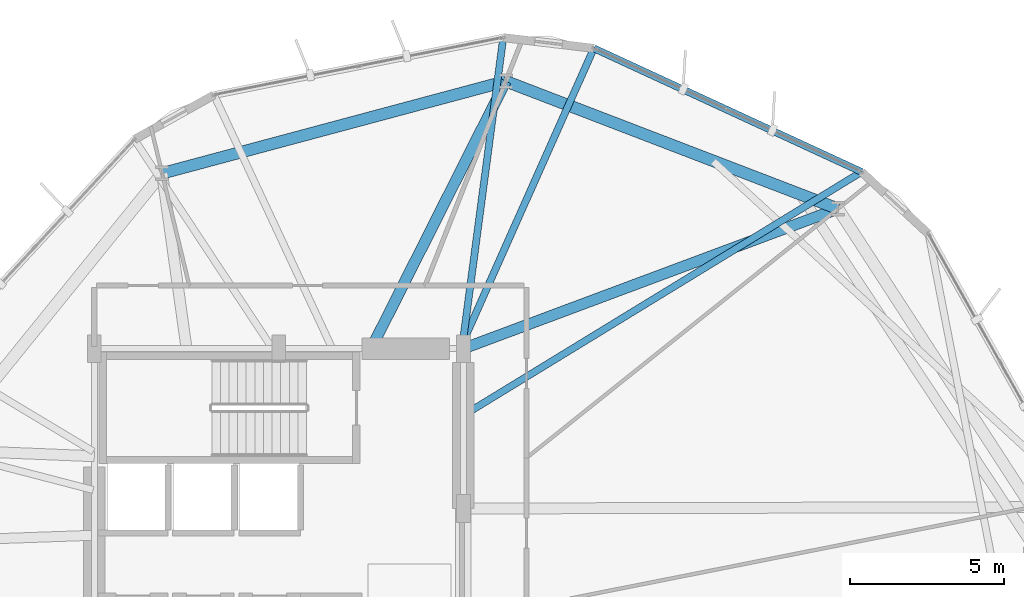
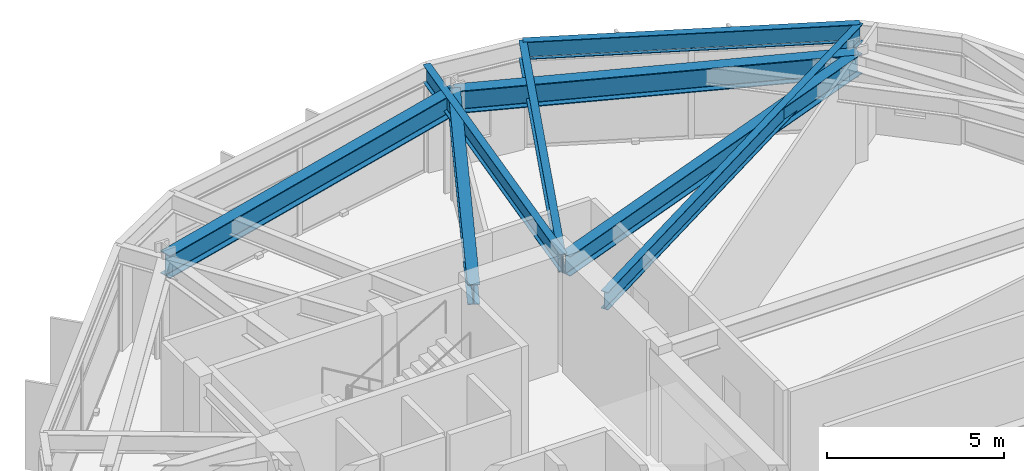
# One storey, part 13 of 22: 8 beams.
"""IFC4 building model written with IfcOpenShell, lengths in metres."""

import ifcopenshell
import ifcopenshell.guid

model = None  # the IFC model being written
_history = None  # IfcOwnerHistory: only IFC2X3 demands one
_inside = {}  # id of a spatial element -> (the spatial element, [elements in it])
_under = {}  # id of a project, library or spatial element -> (it, [spatial elements below it])
_declared = {}  # id of a project -> (the project, [libraries it declares])
_typed = {}  # id of a type object -> (the type object, [elements of that type])
_made_of = {}  # id of a material, layer set ... -> (it, [elements and type objects made of it])


def new_model(schema):
    """Start an empty IFC model of exactly this schema.

    Asked for "IFC4X3", IfcOpenShell would pick the latest addendum, in which some entities
    have other attributes; the version numbers below select the first issue.
    IFC2X3 requires an IfcOwnerHistory on every rooted entity: one is made here for all.
    """
    global model, _history
    if schema == "IFC4X3":
        model = ifcopenshell.file(schema_version=(4, 3, 0, 0))
    else:
        model = ifcopenshell.file(schema=schema)
    _inside.clear()
    _under.clear()
    _declared.clear()
    _typed.clear()
    _made_of.clear()
    _history = None
    if model.schema == "IFC2X3":
        org = make("IfcOrganization", Name="unknown")
        user = make(
            "IfcPersonAndOrganization",
            ThePerson=make("IfcPerson", FamilyName="unknown"),
            TheOrganization=org,
        )
        app = make(
            "IfcApplication",
            ApplicationDeveloper=org,
            Version="unknown",
            ApplicationFullName="unknown",
            ApplicationIdentifier="unknown",
        )
        _history = make(
            "IfcOwnerHistory",
            OwningUser=user,
            OwningApplication=app,
            ChangeAction="ADDED",
            CreationDate=0,
        )
    return model


def make(cls, **values):
    """One entity of the class cls with the attributes given. An attribute that is None is left unset."""
    return model.create_entity(
        cls, **{name: value for name, value in values.items() if value is not None}
    )


def rooted(cls, **values):
    """An entity with a GlobalId (a new one), such as an element, a storey or a relation."""
    return make(cls, GlobalId=ifcopenshell.guid.new(), OwnerHistory=_history, **values)


def si_unit(unit_type, name, prefix=None):
    """IfcSIUnit, for example si_unit("LENGTHUNIT", "METRE", prefix="MILLI")."""
    return make("IfcSIUnit", UnitType=unit_type, Prefix=prefix, Name=name)


def assignment(units):
    """IfcUnitAssignment: the units of a project."""
    return None if units is None else make("IfcUnitAssignment", Units=units)


def point(xyz):
    """IfcCartesianPoint."""
    return None if xyz is None else make("IfcCartesianPoint", Coordinates=xyz)


def direction(xyz):
    """IfcDirection."""
    return None if xyz is None else make("IfcDirection", DirectionRatios=xyz)


def frame(location, z_axis=None, x_axis=None):
    """IfcAxis2Placement3D, a coordinate frame: its origin and axes. An axis left out is left unset."""
    return make(
        "IfcAxis2Placement3D",
        Location=point(location),
        Axis=direction(z_axis),
        RefDirection=direction(x_axis),
    )


def frame_2d(location, x_axis=None):
    """IfcAxis2Placement2D, a coordinate frame in the plane: its origin and x axis."""
    return make(
        "IfcAxis2Placement2D", Location=point(location), RefDirection=direction(x_axis)
    )


def origin():
    """The frame at (0, 0, 0) with its axes left unset."""
    return frame((0.0, 0.0, 0.0))


def origin_2d():
    """The frame at (0, 0) in the plane with its x axis left unset."""
    return frame_2d((0.0, 0.0))


def place(relative_to, where):
    """IfcLocalPlacement: puts the frame where relative to a parent placement (None: the world)."""
    return make(
        "IfcLocalPlacement", PlacementRelTo=relative_to, RelativePlacement=where
    )


def context(
    kind, dimensions, precision=None, world=None, true_north=None, identifier=None
):
    """IfcGeometricRepresentationContext, for example the 3D "Model" context."""
    return make(
        "IfcGeometricRepresentationContext",
        ContextIdentifier=identifier,
        ContextType=kind,
        CoordinateSpaceDimension=dimensions,
        Precision=precision,
        WorldCoordinateSystem=world,
        TrueNorth=true_north,
    )


def subcontext(parent, identifier, kind, view, scale=None):
    """IfcGeometricRepresentationSubContext, for example "Body" below "Model"."""
    return make(
        "IfcGeometricRepresentationSubContext",
        ContextIdentifier=identifier,
        ContextType=kind,
        ParentContext=parent,
        TargetScale=scale,
        TargetView=view,
    )


def project(units=None, contexts=None):
    """IfcProject with its units and contexts."""
    return rooted(
        "IfcProject",
        Name="project",
        RepresentationContexts=contexts,
        UnitsInContext=assignment(units),
    )


def spatial(cls, under=None, at=None, **own):
    """A site, building, storey or space (cls), placed at a placement, below another one or the project."""
    s = rooted(cls, ObjectPlacement=at, **own)
    if under is not None:
        _under.setdefault(under.id(), (under, []))[1].append(s)
    return s


def profile(cls, at=None, kind="AREA", **sizes):
    """A parametric profile (cls). Its sizes go by their IFC names, for example OverallWidth=200.0."""
    return make(cls, ProfileType=kind, Position=at, **sizes)


def i_section(**sizes):
    """IfcIShapeProfileDef."""
    return profile("IfcIShapeProfileDef", **sizes)


def extrude(swept, where, along, depth):
    """IfcExtrudedAreaSolid: the profile swept, set in the frame where, extruded along a direction by depth."""
    return make(
        "IfcExtrudedAreaSolid",
        SweptArea=swept,
        Position=where,
        ExtrudedDirection=direction(along),
        Depth=depth,
    )


def shape(context_of_items, identifier, shape_type, items):
    """IfcShapeRepresentation: the items that make up one representation, for example the "Body"."""
    return make(
        "IfcShapeRepresentation",
        ContextOfItems=context_of_items,
        RepresentationIdentifier=identifier,
        RepresentationType=shape_type,
        Items=items,
    )


def material(Name=None, Category=None):
    """IfcMaterial."""
    return make("IfcMaterial", Name=Name, Category=Category)


def material_profile(
    of_material, cross_section, Name=None, Category=None, Priority=None
):
    """IfcMaterialProfile: a cross section and its material."""
    return make(
        "IfcMaterialProfile",
        Name=Name,
        Material=of_material,
        Profile=cross_section,
        Priority=Priority,
        Category=Category,
    )


def profile_set(profiles, Name=None, composite=None):
    """IfcMaterialProfileSet."""
    return make(
        "IfcMaterialProfileSet",
        Name=Name,
        MaterialProfiles=profiles,
        CompositeProfile=composite,
    )


def made_of(thing, what):
    """Note that an element or type object is made of a material, layer set ...; save() writes the relation."""
    if what is not None:
        _made_of.setdefault(what.id(), (what, []))[1].append(thing)
    return thing


def type_object(cls, material=None, **own):
    """A type object (cls), such as IfcWallType, which elements share."""
    return made_of(rooted(cls, **own), material)


def element(
    cls,
    number,
    at=None,
    inside=None,
    cuts=None,
    type_object=None,
    material=None,
    context=None,
    identifier="Body",
    shape_type=None,
    held_by="IfcProductDefinitionShape",
    body=None,
    shapes=None,
    **own,
):
    """One element of the class cls, such as IfcWall. Its Tag is "e" and its number.

    at: its placement. inside: the storey or other place that contains it. cuts: it is an
    opening in that element (IfcRelVoidsElement). A single representation is given by context,
    identifier, shape_type and body (its items); several are given by shapes. held_by: the class
    of the entity that holds the representations. save() writes the other relations.
    """
    e = rooted(cls, Tag="e%d" % number, ObjectPlacement=at, **own)
    if body is not None:
        shapes = [shape(context, identifier, shape_type, body)]
    if shapes is not None:
        e.Representation = make(held_by, Representations=shapes)
    if inside is not None:
        _inside.setdefault(inside.id(), (inside, []))[1].append(e)
    if cuts is not None:
        rooted(
            "IfcRelVoidsElement", RelatingBuildingElement=cuts, RelatedOpeningElement=e
        )
    if type_object is not None:
        _typed.setdefault(type_object.id(), (type_object, []))[1].append(e)
    return made_of(e, material)


def aggregate(whole, parts):
    """IfcRelAggregates: a whole, such as a stair, and the parts it consists of."""
    return rooted("IfcRelAggregates", RelatingObject=whole, RelatedObjects=parts)


def save(model, path):
    """Write the relations noted so far, then the file.

    IfcRelAggregates (storeys below a building ...), IfcRelContainedInSpatialStructure (elements
    in a storey), IfcRelDefinesByType, IfcRelAssociatesMaterial and IfcRelDeclares: one each for
    every whole, place, type object, material and project.
    """
    for whole, parts in _under.values():
        aggregate(whole, parts)
    for where, things in _inside.values():
        rooted(
            "IfcRelContainedInSpatialStructure",
            RelatedElements=things,
            RelatingStructure=where,
        )
    for kind, things in _typed.values():
        rooted("IfcRelDefinesByType", RelatedObjects=things, RelatingType=kind)
    for what, things in _made_of.values():
        rooted("IfcRelAssociatesMaterial", RelatedObjects=things, RelatingMaterial=what)
    for by, libraries in _declared.values():
        rooted("IfcRelDeclares", RelatingContext=by, RelatedDefinitions=libraries)
    model.write(path)


model = new_model("IFC4")

# Units and contexts
model_context = context("Model", 3, precision=1e-05, world=origin(), true_north=direction((0.0, 1.0)))
body_context = subcontext(model_context, "Body", "Model", "MODEL_VIEW")
ifc_project = project(units=[si_unit("LENGTHUNIT", "METRE"), si_unit("AREAUNIT", "SQUARE_METRE"), si_unit("VOLUMEUNIT", "CUBIC_METRE"), si_unit("PLANEANGLEUNIT", "RADIAN"), si_unit("MASSUNIT", "GRAM", prefix="KILO")], contexts=[model_context])

# Site, building, storey
site_placement = place(None, origin())
site = spatial("IfcSite", under=ifc_project, at=site_placement, CompositionType="ELEMENT")
building_placement = place(site_placement, origin())
building = spatial("IfcBuilding", under=site, at=building_placement, Name="Soratama Intermodal Tower", CompositionType="ELEMENT")
storey_placement = place(building_placement, frame((0.0, 0.0, 70.60009765625)))
storey = spatial("IfcBuildingStorey", under=building, at=storey_placement, Name="L16", CompositionType="ELEMENT", Elevation=70.60009765625)

# Beams
ifc_material_1 = material(Name="Structural steel ASTM A992 Grade 50", Category="steel")
ifc_material_profile_1 = material_profile(ifc_material_1, i_section(OverallWidth=0.35498046875, OverallDepth=0.695068359375, WebThickness=0.015380859375, FlangeThickness=0.02490234375, FilletRadius=0.01611328125, at=origin_2d()), Name="W27X146")
ifc_profile_set_1 = profile_set([ifc_material_profile_1], Name="Structural steel ASTM A992 Grade 50")
beam_type_1 = type_object("IfcBeamType", Name="BM-RING-W27X146", PredefinedType="BEAM", material=ifc_profile_set_1)
beam_1_placement = place(storey_placement, frame((44.60009765625, 35.0, 3.352294921875), z_axis=(0.936827486358, 0.349791739189, 0.0), x_axis=(-0.349791739189, 0.936827486358, 0.0)))
element("IfcBeam", 1, at=beam_1_placement, inside=storey, type_object=beam_type_1, Name="BM-L16-RAD-02", PredefinedType="BEAM", context=body_context, shape_type="SweptSolid", body=[
    extrude(i_section(OverallWidth=0.35498046875, OverallDepth=0.695068359375, WebThickness=0.015380859375, FlangeThickness=0.02490234375, FilletRadius=0.01611328125, at=origin_2d()), origin(), (0.0, 0.0, 1.0), 13.002197265625),
])
beam_2_placement = place(storey_placement, frame((41.60009765625, 35.0, 3.352294921875), z_axis=(0.449910017166, 0.893073891934, 0.0), x_axis=(-0.893073891934, 0.449910017166, 0.0)))
element("IfcBeam", 2, at=beam_2_placement, inside=storey, type_object=beam_type_1, Name="BM-L16-RAD-03", PredefinedType="BEAM", context=body_context, shape_type="SweptSolid", body=[
    extrude(i_section(OverallWidth=0.35498046875, OverallDepth=0.695068359375, WebThickness=0.015380859375, FlangeThickness=0.02490234375, FilletRadius=0.01611328125, at=origin_2d()), origin(), (0.0, 0.0, 1.0), 9.735107421875),
])
ifc_material_2 = material(Name="Structural steel ASTM A992 Grade 50", Category="steel")
ifc_material_profile_2 = material_profile(ifc_material_2, i_section(OverallWidth=0.382080078125, OverallDepth=0.779052734375, WebThickness=0.01806640625, FlangeThickness=0.030029296875, FilletRadius=0.01806640625, at=origin_2d()), Name="W30X191")
ifc_profile_set_2 = profile_set([ifc_material_profile_2], Name="Structural steel ASTM A992 Grade 50")
beam_type_2 = type_object("IfcBeamType", Name="BM-RING-W30X191", PredefinedType="BEAM", material=ifc_profile_set_2)
beam_3_placement = place(storey_placement, frame((56.781005859375, 39.548095703125, 3.310302734375), z_axis=(-0.933584159632, 0.358358224246, 0.0), x_axis=(-0.358358224246, -0.933584159632, 0.0)))
element("IfcBeam", 3, at=beam_3_placement, inside=storey, type_object=beam_type_2, Name="BM-L16-RING-02", PredefinedType="BEAM", context=body_context, shape_type="SweptSolid", body=[
    extrude(i_section(OverallWidth=0.382080078125, OverallDepth=0.779052734375, WebThickness=0.01806640625, FlangeThickness=0.030029296875, FilletRadius=0.01806640625, at=origin_2d()), origin(), (0.0, 0.0, 1.0), 11.5693359375),
])
beam_4_placement = place(storey_placement, frame((45.97998046875, 43.694091796875, 3.310302734375), z_axis=(-0.965935902196, -0.258781438376, 0.0), x_axis=(0.258781438376, -0.965935902196, 0.0)))
element("IfcBeam", 4, at=beam_4_placement, inside=storey, type_object=beam_type_2, Name="BM-L16-RING-03", PredefinedType="BEAM", context=body_context, shape_type="SweptSolid", body=[
    extrude(i_section(OverallWidth=0.382080078125, OverallDepth=0.779052734375, WebThickness=0.01806640625, FlangeThickness=0.030029296875, FilletRadius=0.01806640625, at=origin_2d()), origin(), (0.0, 0.0, 1.0), 11.570068359375),
])
ifc_material_3 = material(Name="Structural steel ASTM A992 Grade 50", Category="steel")
ifc_material_profile_3 = material_profile(ifc_material_3, i_section(OverallWidth=0.22900390625, OverallDepth=0.612060546875, WebThickness=0.011962890625, FlangeThickness=0.01953125, FilletRadius=0.012939453125, at=origin_2d()), Name="W24X84")
ifc_profile_set_3 = profile_set([ifc_material_profile_3], Name="Structural steel ASTM A992 Grade 50")
beam_type_3 = type_object("IfcBeamType", Name="BM-SPN-W24X84", PredefinedType="SPANDREL", material=ifc_profile_set_3)
beam_5_placement = place(storey_placement, frame((57.550048828125, 40.7470703125, 3.393798828125), z_axis=(-0.907925102797, 0.419132446502, 0.0), x_axis=(-0.419132446502, -0.907925102797, 0.0)))
element("IfcBeam", 5, at=beam_5_placement, inside=storey, type_object=beam_type_3, Name="BS-L16-F02", PredefinedType="SPANDREL", context=body_context, shape_type="SweptSolid", body=[
    extrude(i_section(OverallWidth=0.22900390625, OverallDepth=0.612060546875, WebThickness=0.011962890625, FlangeThickness=0.01953125, FilletRadius=0.012939453125, at=origin_2d()), origin(), (0.0, 0.0, 1.0), 9.5888671875),
])
ifc_material_4 = material(Name="Structural steel ASTM A992 Grade 50", Category="steel")
ifc_material_profile_4 = material_profile(ifc_material_4, i_section(OverallWidth=0.22900390625, OverallDepth=0.612060546875, WebThickness=0.011962890625, FlangeThickness=0.01953125, FilletRadius=0.012939453125, at=origin_2d()), Name="W24X84")
ifc_profile_set_4 = profile_set([ifc_material_profile_4], Name="Structural steel ASTM A992 Grade 50")
beam_type_4 = type_object("IfcBeamType", Name="BM-TIE-W24X84", PredefinedType="BEAM", material=ifc_profile_set_4)
beam_6_placement = place(storey_placement, frame((44.634033203125, 32.84912109375, 3.393798828125), z_axis=(0.853139891592, 0.521682207262, 0.0), x_axis=(-0.521682207262, 0.853139891592, 0.0)))
element("IfcBeam", 6, at=beam_6_placement, inside=storey, type_object=beam_type_4, Name="BM-L16-TIE0-02", PredefinedType="BEAM", context=body_context, shape_type="SweptSolid", body=[
    extrude(i_section(OverallWidth=0.22900390625, OverallDepth=0.612060546875, WebThickness=0.011962890625, FlangeThickness=0.01953125, FilletRadius=0.012939453125, at=origin_2d()), origin(), (0.0, 0.0, 1.0), 15.139404296875),
])
beam_7_placement = place(storey_placement, frame((44.510986328125, 35.037109375, 3.393798828125), z_axis=(0.406844480006, 0.913497437921, 0.0), x_axis=(-0.913497437921, 0.406844480006, 0.0)))
element("IfcBeam", 7, at=beam_7_placement, inside=storey, type_object=beam_type_4, Name="BM-L16-TIE1-02", PredefinedType="BEAM", context=body_context, shape_type="SweptSolid", body=[
    extrude(i_section(OverallWidth=0.22900390625, OverallDepth=0.612060546875, WebThickness=0.011962890625, FlangeThickness=0.01953125, FilletRadius=0.012939453125, at=origin_2d()), origin(), (0.0, 0.0, 1.0), 10.650390625),
])
beam_8_placement = place(storey_placement, frame((44.56103515625, 35.0400390625, 3.393798828125), z_axis=(0.131531212579, 0.991312029644, 0.0), x_axis=(-0.991312029644, 0.131531212579, 0.0)))
element("IfcBeam", 8, at=beam_8_placement, inside=storey, type_object=beam_type_4, Name="BM-L16-TIE0-03", PredefinedType="BEAM", context=body_context, shape_type="SweptSolid", body=[
    extrude(i_section(OverallWidth=0.22900390625, OverallDepth=0.612060546875, WebThickness=0.011962890625, FlangeThickness=0.01953125, FilletRadius=0.012939453125, at=origin_2d()), origin(), (0.0, 0.0, 1.0), 10.164306640625),
])

save(model, "model.ifc")
